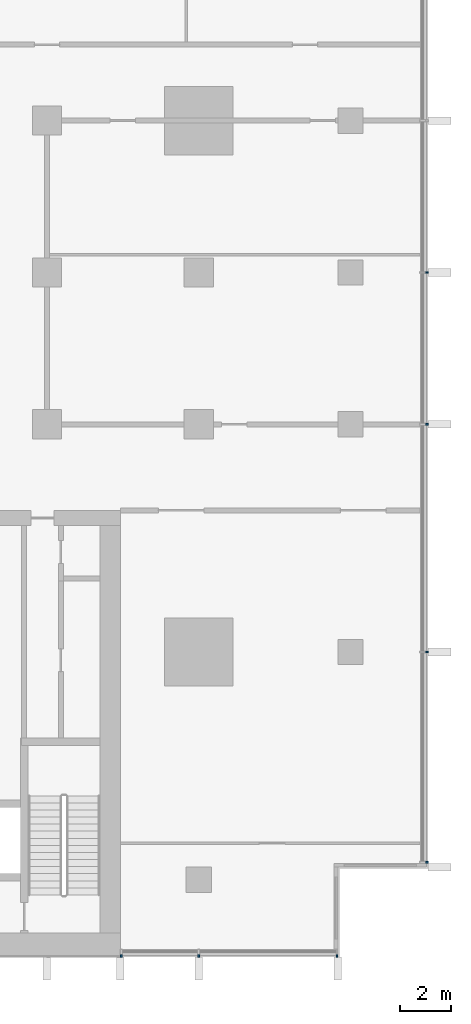
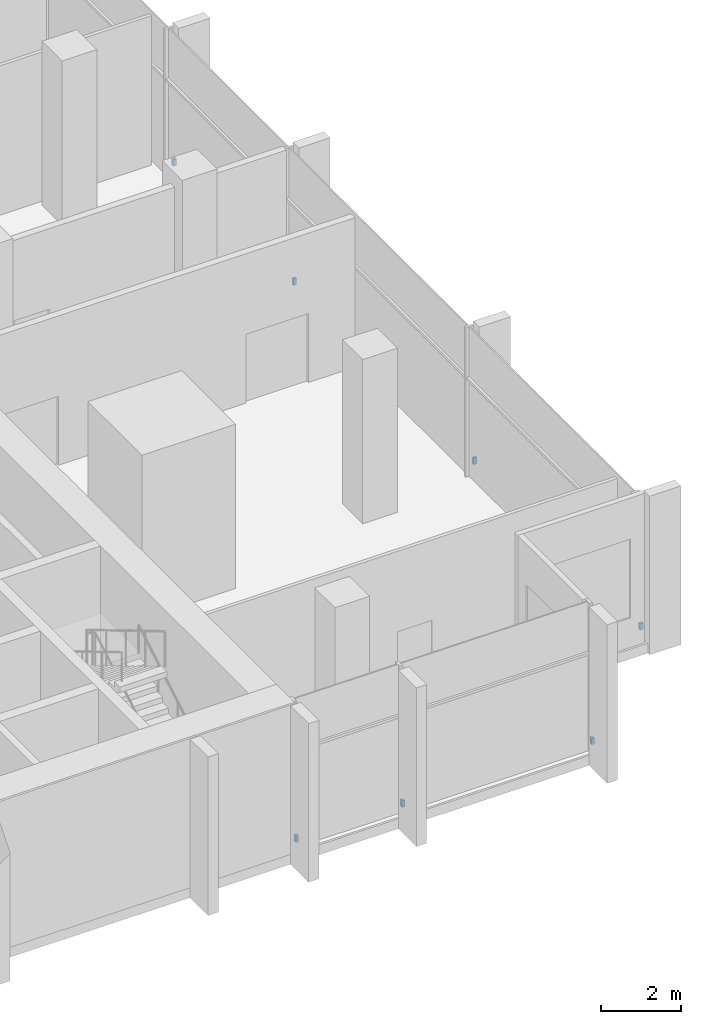
# One storey, part 12 of 15: 7 discrete accessories.
"""IFC4 building model written with IfcOpenShell, lengths in metres."""

import ifcopenshell
import ifcopenshell.guid

model = None  # the IFC model being written
_history = None  # IfcOwnerHistory: only IFC2X3 demands one
_inside = {}  # id of a spatial element -> (the spatial element, [elements in it])
_under = {}  # id of a project, library or spatial element -> (it, [spatial elements below it])
_declared = {}  # id of a project -> (the project, [libraries it declares])
_typed = {}  # id of a type object -> (the type object, [elements of that type])
_made_of = {}  # id of a material, layer set ... -> (it, [elements and type objects made of it])


def new_model(schema):
    """Start an empty IFC model of exactly this schema.

    Asked for "IFC4X3", IfcOpenShell would pick the latest addendum, in which some entities
    have other attributes; the version numbers below select the first issue.
    IFC2X3 requires an IfcOwnerHistory on every rooted entity: one is made here for all.
    """
    global model, _history
    if schema == "IFC4X3":
        model = ifcopenshell.file(schema_version=(4, 3, 0, 0))
    else:
        model = ifcopenshell.file(schema=schema)
    _inside.clear()
    _under.clear()
    _declared.clear()
    _typed.clear()
    _made_of.clear()
    _history = None
    if model.schema == "IFC2X3":
        org = make("IfcOrganization", Name="unknown")
        user = make(
            "IfcPersonAndOrganization",
            ThePerson=make("IfcPerson", FamilyName="unknown"),
            TheOrganization=org,
        )
        app = make(
            "IfcApplication",
            ApplicationDeveloper=org,
            Version="unknown",
            ApplicationFullName="unknown",
            ApplicationIdentifier="unknown",
        )
        _history = make(
            "IfcOwnerHistory",
            OwningUser=user,
            OwningApplication=app,
            ChangeAction="ADDED",
            CreationDate=0,
        )
    return model


def make(cls, **values):
    """One entity of the class cls with the attributes given. An attribute that is None is left unset."""
    return model.create_entity(
        cls, **{name: value for name, value in values.items() if value is not None}
    )


def rooted(cls, **values):
    """An entity with a GlobalId (a new one), such as an element, a storey or a relation."""
    return make(cls, GlobalId=ifcopenshell.guid.new(), OwnerHistory=_history, **values)


def si_unit(unit_type, name, prefix=None):
    """IfcSIUnit, for example si_unit("LENGTHUNIT", "METRE", prefix="MILLI")."""
    return make("IfcSIUnit", UnitType=unit_type, Prefix=prefix, Name=name)


def assignment(units):
    """IfcUnitAssignment: the units of a project."""
    return None if units is None else make("IfcUnitAssignment", Units=units)


def point(xyz):
    """IfcCartesianPoint."""
    return None if xyz is None else make("IfcCartesianPoint", Coordinates=xyz)


def direction(xyz):
    """IfcDirection."""
    return None if xyz is None else make("IfcDirection", DirectionRatios=xyz)


def frame(location, z_axis=None, x_axis=None):
    """IfcAxis2Placement3D, a coordinate frame: its origin and axes. An axis left out is left unset."""
    return make(
        "IfcAxis2Placement3D",
        Location=point(location),
        Axis=direction(z_axis),
        RefDirection=direction(x_axis),
    )


def frame_2d(location, x_axis=None):
    """IfcAxis2Placement2D, a coordinate frame in the plane: its origin and x axis."""
    return make(
        "IfcAxis2Placement2D", Location=point(location), RefDirection=direction(x_axis)
    )


def origin():
    """The frame at (0, 0, 0) with its axes left unset."""
    return frame((0.0, 0.0, 0.0))


def origin_2d():
    """The frame at (0, 0) in the plane with its x axis left unset."""
    return frame_2d((0.0, 0.0))


def place(relative_to, where):
    """IfcLocalPlacement: puts the frame where relative to a parent placement (None: the world)."""
    return make(
        "IfcLocalPlacement", PlacementRelTo=relative_to, RelativePlacement=where
    )


def context(
    kind, dimensions, precision=None, world=None, true_north=None, identifier=None
):
    """IfcGeometricRepresentationContext, for example the 3D "Model" context."""
    return make(
        "IfcGeometricRepresentationContext",
        ContextIdentifier=identifier,
        ContextType=kind,
        CoordinateSpaceDimension=dimensions,
        Precision=precision,
        WorldCoordinateSystem=world,
        TrueNorth=true_north,
    )


def subcontext(parent, identifier, kind, view, scale=None):
    """IfcGeometricRepresentationSubContext, for example "Body" below "Model"."""
    return make(
        "IfcGeometricRepresentationSubContext",
        ContextIdentifier=identifier,
        ContextType=kind,
        ParentContext=parent,
        TargetScale=scale,
        TargetView=view,
    )


def project(units=None, contexts=None):
    """IfcProject with its units and contexts."""
    return rooted(
        "IfcProject",
        Name="project",
        RepresentationContexts=contexts,
        UnitsInContext=assignment(units),
    )


def spatial(cls, under=None, at=None, **own):
    """A site, building, storey or space (cls), placed at a placement, below another one or the project."""
    s = rooted(cls, ObjectPlacement=at, **own)
    if under is not None:
        _under.setdefault(under.id(), (under, []))[1].append(s)
    return s


def profile(cls, at=None, kind="AREA", **sizes):
    """A parametric profile (cls). Its sizes go by their IFC names, for example OverallWidth=200.0."""
    return make(cls, ProfileType=kind, Position=at, **sizes)


def rectangle(**sizes):
    """IfcRectangleProfileDef."""
    return profile("IfcRectangleProfileDef", **sizes)


def extrude(swept, where, along, depth):
    """IfcExtrudedAreaSolid: the profile swept, set in the frame where, extruded along a direction by depth."""
    return make(
        "IfcExtrudedAreaSolid",
        SweptArea=swept,
        Position=where,
        ExtrudedDirection=direction(along),
        Depth=depth,
    )


def shape(context_of_items, identifier, shape_type, items):
    """IfcShapeRepresentation: the items that make up one representation, for example the "Body"."""
    return make(
        "IfcShapeRepresentation",
        ContextOfItems=context_of_items,
        RepresentationIdentifier=identifier,
        RepresentationType=shape_type,
        Items=items,
    )


def material(Name=None, Category=None):
    """IfcMaterial."""
    return make("IfcMaterial", Name=Name, Category=Category)


def made_of(thing, what):
    """Note that an element or type object is made of a material, layer set ...; save() writes the relation."""
    if what is not None:
        _made_of.setdefault(what.id(), (what, []))[1].append(thing)
    return thing


def type_object(cls, material=None, **own):
    """A type object (cls), such as IfcWallType, which elements share."""
    return made_of(rooted(cls, **own), material)


def element(
    cls,
    number,
    at=None,
    inside=None,
    cuts=None,
    type_object=None,
    material=None,
    context=None,
    identifier="Body",
    shape_type=None,
    held_by="IfcProductDefinitionShape",
    body=None,
    shapes=None,
    **own,
):
    """One element of the class cls, such as IfcWall. Its Tag is "e" and its number.

    at: its placement. inside: the storey or other place that contains it. cuts: it is an
    opening in that element (IfcRelVoidsElement). A single representation is given by context,
    identifier, shape_type and body (its items); several are given by shapes. held_by: the class
    of the entity that holds the representations. save() writes the other relations.
    """
    e = rooted(cls, Tag="e%d" % number, ObjectPlacement=at, **own)
    if body is not None:
        shapes = [shape(context, identifier, shape_type, body)]
    if shapes is not None:
        e.Representation = make(held_by, Representations=shapes)
    if inside is not None:
        _inside.setdefault(inside.id(), (inside, []))[1].append(e)
    if cuts is not None:
        rooted(
            "IfcRelVoidsElement", RelatingBuildingElement=cuts, RelatedOpeningElement=e
        )
    if type_object is not None:
        _typed.setdefault(type_object.id(), (type_object, []))[1].append(e)
    return made_of(e, material)


def aggregate(whole, parts):
    """IfcRelAggregates: a whole, such as a stair, and the parts it consists of."""
    return rooted("IfcRelAggregates", RelatingObject=whole, RelatedObjects=parts)


def save(model, path):
    """Write the relations noted so far, then the file.

    IfcRelAggregates (storeys below a building ...), IfcRelContainedInSpatialStructure (elements
    in a storey), IfcRelDefinesByType, IfcRelAssociatesMaterial and IfcRelDeclares: one each for
    every whole, place, type object, material and project.
    """
    for whole, parts in _under.values():
        aggregate(whole, parts)
    for where, things in _inside.values():
        rooted(
            "IfcRelContainedInSpatialStructure",
            RelatedElements=things,
            RelatingStructure=where,
        )
    for kind, things in _typed.values():
        rooted("IfcRelDefinesByType", RelatedObjects=things, RelatingType=kind)
    for what, things in _made_of.values():
        rooted("IfcRelAssociatesMaterial", RelatedObjects=things, RelatingMaterial=what)
    for by, libraries in _declared.values():
        rooted("IfcRelDeclares", RelatingContext=by, RelatedDefinitions=libraries)
    model.write(path)


model = new_model("IFC4")

# Units and contexts
model_context = context("Model", 3, precision=1e-05, world=origin(), true_north=direction((0.0, 1.0)))
body_context = subcontext(model_context, "Body", "Model", "MODEL_VIEW")
ifc_project = project(units=[si_unit("LENGTHUNIT", "METRE"), si_unit("AREAUNIT", "SQUARE_METRE"), si_unit("VOLUMEUNIT", "CUBIC_METRE"), si_unit("PLANEANGLEUNIT", "RADIAN"), si_unit("MASSUNIT", "GRAM", prefix="KILO")], contexts=[model_context])

# Site, building, storey
site_placement = place(None, origin())
site = spatial("IfcSite", under=ifc_project, at=site_placement, CompositionType="ELEMENT")
building_placement = place(site_placement, origin())
building = spatial("IfcBuilding", under=site, at=building_placement, Name="Finial Court Residences", CompositionType="ELEMENT")
storey_placement = place(building_placement, frame((0.0, 0.0, 138.89990234375)))
storey = spatial("IfcBuildingStorey", under=building, at=storey_placement, Name="L34", CompositionType="ELEMENT", Elevation=138.89990234375)

# Discrete accessories
ifc_material = material(Name="Stainless steel 316", Category="steel")
discrete_accessory_type = type_object("IfcDiscreteAccessoryType", Name="Fin bracket, stainless steel 75 x 98 x 200", PredefinedType="BRACKET", material=ifc_material)
for number, where, z_axis, x_axis, name in (
    (1, (25.51123046875, -21.8125, 0.30029296875), (0.0, 0.0, 1.0), (1.0, 0.0, 0.0), "E-L34-FIN-E9-BRK"),
    (2, (25.51123046875, -13.5, 0.30029296875), (0.0, 0.0, 1.0), (1.0, 0.0, 0.0), "E-L34-FIN-E10-BRK"),
    (3, (25.51123046875, -4.5, 0.30029296875), (0.0, 0.0, 1.0), (1.0, 0.0, 0.0), "E-L34-FIN-E11-BRK"),
    (4, (25.51123046875, 1.5, 0.30029296875), (0.0, 0.0, 1.0), (1.0, 0.0, 0.0), "E-L34-FIN-E12-BRK"),
):
    element("IfcDiscreteAccessory", number, at=place(storey_placement, frame(where, z_axis=z_axis, x_axis=x_axis)), inside=storey, type_object=discrete_accessory_type, Name=name, PredefinedType="BRACKET", context=body_context, shape_type="SweptSolid", body=[
        extrude(rectangle(XDim=0.097412109375, YDim=0.074951171875, at=origin_2d()), origin(), (0.0, 0.0, 1.0), 0.199951171875),
    ])
for number, where, z_axis, x_axis, name in (
    (5, (13.4375, -25.51123046875, 0.30029296875), (0.0, 0.0, 1.0), (1.0, 0.0, 0.0), "E-L34-FIN-S23-BRK"),
    (6, (16.5, -25.51123046875, 0.30029296875), (0.0, 0.0, 1.0), (1.0, 0.0, 0.0), "E-L34-FIN-S24-BRK"),
    (7, (21.96240234375, -25.51123046875, 0.30029296875), (0.0, 0.0, 1.0), (1.0, 0.0, 0.0), "E-L34-FIN-S25-BRK"),
):
    element("IfcDiscreteAccessory", number, at=place(storey_placement, frame(where, z_axis=z_axis, x_axis=x_axis)), inside=storey, type_object=discrete_accessory_type, Name=name, PredefinedType="BRACKET", context=body_context, shape_type="SweptSolid", body=[
        extrude(rectangle(XDim=0.074951171875, YDim=0.097412109375, at=origin_2d()), origin(), (0.0, 0.0, 1.0), 0.199951171875),
    ])

save(model, "model.ifc")
